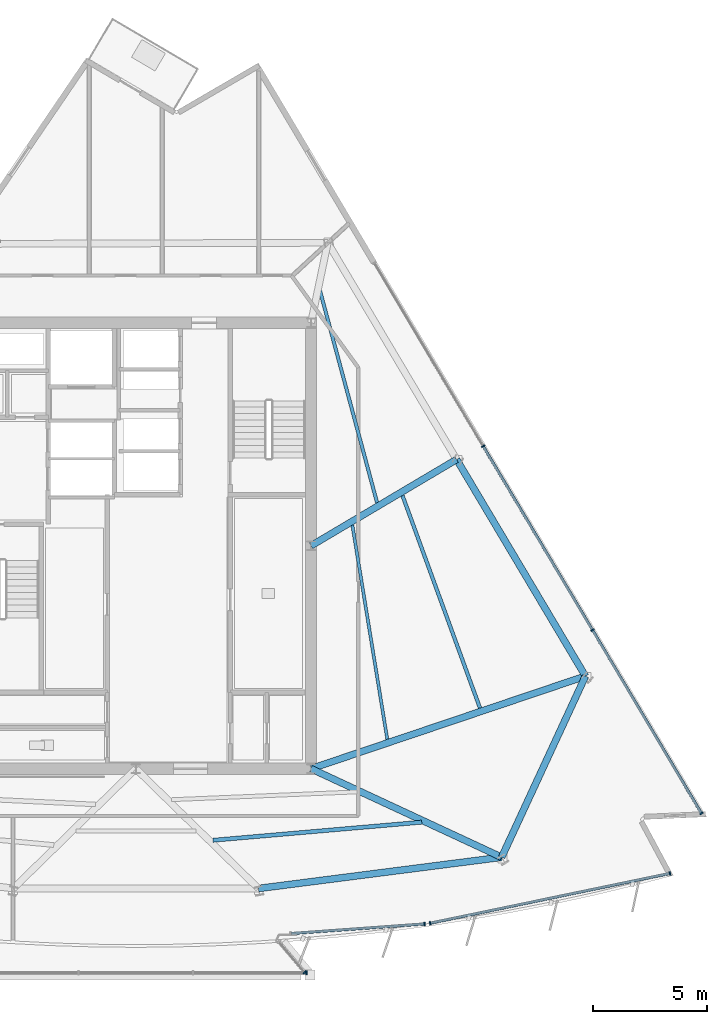
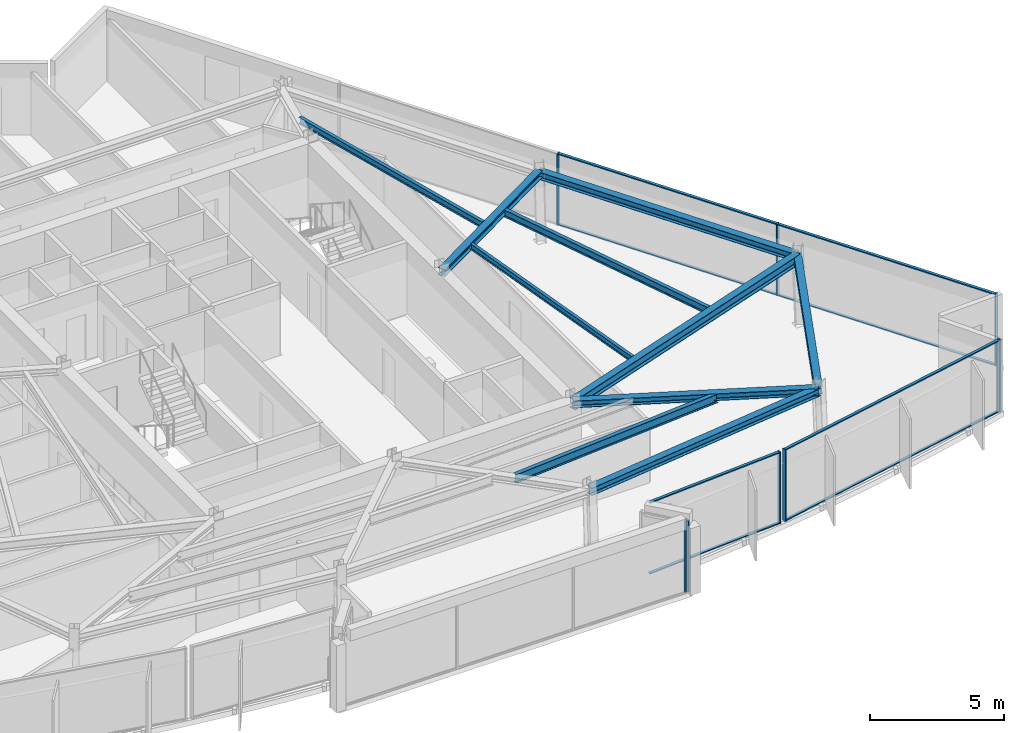
# One storey, part 5 of 14: 16 members, 10 beams, 5 elements without a shape of their own.
"""IFC4 building model written with IfcOpenShell, lengths in metres."""

from ifc_helpers import new_model, si_unit, direction, frame, origin, origin_2d, place, context, subcontext, project, spatial, rectangle, i_section, extrude, material, material_profile, profile_set, type_object, element, aggregate, save


model = new_model("IFC4")

# Units and contexts
model_context = context("Model", 3, precision=1e-05, world=origin(), true_north=direction((0.0, 1.0)))
body_context = subcontext(model_context, "Body", "Model", "MODEL_VIEW")
ifc_project = project(units=[si_unit("LENGTHUNIT", "METRE"), si_unit("AREAUNIT", "SQUARE_METRE"), si_unit("VOLUMEUNIT", "CUBIC_METRE"), si_unit("PLANEANGLEUNIT", "RADIAN"), si_unit("MASSUNIT", "GRAM", prefix="KILO")], contexts=[model_context])

# Site, building, storey
site_placement = place(None, origin())
site = spatial("IfcSite", under=ifc_project, at=site_placement, CompositionType="ELEMENT")
building_placement = place(site_placement, origin())
building = spatial("IfcBuilding", under=site, at=building_placement, Name="Savorim Split Tower", CompositionType="ELEMENT")
storey_placement = place(building_placement, frame((0.0, 0.0, 237.89990234375)))
storey = spatial("IfcBuildingStorey", under=building, at=storey_placement, Name="L63", CompositionType="ELEMENT", Elevation=237.89990234375)

# Beams
ifc_material_1 = material(Name="Steel S355", Category="steel")
ifc_material_profile_1 = material_profile(ifc_material_1, i_section(OverallWidth=0.135009765625, OverallDepth=0.27001953125, WebThickness=0.006591796875, FlangeThickness=0.01025390625, FilletRadius=0.014892578125, at=origin_2d()), Name="IPE 270")
ifc_profile_set_1 = profile_set([ifc_material_profile_1], Name="Steel S355")
beam_type_1 = type_object("IfcBeamType", Name="BM-JST-IPE270", PredefinedType="JOIST", material=ifc_profile_set_1)
beam_1_placement = place(storey_placement, frame((11.0517578125, -8.102783203125, 3.14501953125), z_axis=(-0.160958780678, 0.986961129388, 0.0), x_axis=(-0.986961129388, -0.160958780678, 0.0)))
element("IfcBeam", 1, at=beam_1_placement, inside=storey, type_object=beam_type_1, Name="L63 Secondary Floor Joist JS-08", PredefinedType="JOIST", context=body_context, shape_type="SweptSolid", body=[
    extrude(i_section(OverallWidth=0.135009765625, OverallDepth=0.27001953125, WebThickness=0.006591796875, FlangeThickness=0.01025390625, FilletRadius=0.014892578125, at=origin_2d()), origin(), (0.0, 0.0, 1.0), 9.531494140625),
])
ifc_material_profile_2 = material_profile(ifc_material_1, i_section(OverallWidth=0.14990234375, OverallDepth=0.300048828125, WebThickness=0.007080078125, FlangeThickness=0.0107421875, FilletRadius=0.014892578125, at=origin_2d()), Name="IPE 300")
ifc_profile_set_2 = profile_set([ifc_material_profile_2], Name="Steel S355")
beam_type_2 = type_object("IfcBeamType", Name="BM-JST-IPE300", PredefinedType="JOIST", material=ifc_profile_set_2)
beam_2_placement = place(storey_placement, frame((10.601806640625, 2.2998046875, 3.130126953125), z_axis=(-0.260070069924, 0.965589746595, 0.0), x_axis=(-0.965589746595, -0.260070069924, 0.0)))
element("IfcBeam", 2, at=beam_2_placement, inside=storey, type_object=beam_type_2, Name="L63 Secondary Floor Joist JS-07", PredefinedType="JOIST", context=body_context, shape_type="SweptSolid", body=[
    extrude(i_section(OverallWidth=0.14990234375, OverallDepth=0.300048828125, WebThickness=0.007080078125, FlangeThickness=0.0107421875, FilletRadius=0.014892578125, at=origin_2d()), origin(), (0.0, 0.0, 1.0), 9.6982421875),
])
ifc_material_profile_3 = material_profile(ifc_material_1, i_section(OverallWidth=0.159912109375, OverallDepth=0.330078125, WebThickness=0.007568359375, FlangeThickness=0.011474609375, FilletRadius=0.01806640625, at=origin_2d()), Name="IPE 330")
ifc_profile_set_3 = profile_set([ifc_material_profile_3], Name="Steel S355")
beam_type_3 = type_object("IfcBeamType", Name="BM-JST-IPE330", PredefinedType="JOIST", material=ifc_profile_set_3)
beam_3_placement = place(storey_placement, frame((15.1240234375, -6.726806640625, 3.114990234375), z_axis=(-0.34258388142, 0.939487245358, 0.0), x_axis=(-0.939487245358, -0.34258388142, 0.0)))
element("IfcBeam", 3, at=beam_3_placement, inside=storey, type_object=beam_type_3, Name="L63 Secondary Floor Joist JS-06", PredefinedType="JOIST", context=body_context, shape_type="SweptSolid", body=[
    extrude(i_section(OverallWidth=0.159912109375, OverallDepth=0.330078125, WebThickness=0.007568359375, FlangeThickness=0.011474609375, FilletRadius=0.01806640625, at=origin_2d()), origin(), (0.0, 0.0, 1.0), 9.929931640625),
])
ifc_material_profile_4 = material_profile(ifc_material_1, i_section(OverallWidth=0.179931640625, OverallDepth=0.39990234375, WebThickness=0.008544921875, FlangeThickness=0.013427734375, FilletRadius=0.02099609375, at=origin_2d()), Name="IPE 400")
ifc_profile_set_4 = profile_set([ifc_material_profile_4], Name="Steel S355")
beam_type_4 = type_object("IfcBeamType", Name="BM-JST-IPE400", PredefinedType="JOIST", material=ifc_profile_set_4)
beam_4_placement = place(storey_placement, frame((3.392578125, -12.54541015625, 3.080078125), z_axis=(0.996258472584, 0.086423699325, 0.0), x_axis=(-0.086423699325, 0.996258472584, 0.0)))
element("IfcBeam", 4, at=beam_4_placement, inside=storey, type_object=beam_type_4, Name="L63 Secondary Floor Joist JS-04", PredefinedType="JOIST", context=body_context, shape_type="SweptSolid", body=[
    extrude(i_section(OverallWidth=0.179931640625, OverallDepth=0.39990234375, WebThickness=0.008544921875, FlangeThickness=0.013427734375, FilletRadius=0.02099609375, at=origin_2d()), origin(), (0.0, 0.0, 1.0), 9.209228515625),
])
ifc_material_profile_5 = material_profile(ifc_material_1, i_section(OverallWidth=0.300048828125, OverallDepth=0.320068359375, WebThickness=0.011474609375, FlangeThickness=0.0205078125, FilletRadius=0.027099609375, at=origin_2d()), Name="HEB 320")
ifc_profile_set_5 = profile_set([ifc_material_profile_5], Name="Steel S355")
beam_type_5 = type_object("IfcBeamType", Name="BM-PRI-HEB320", PredefinedType="BEAM", material=ifc_profile_set_5)
beam_5_placement = place(storey_placement, frame((16.077880859375, -13.292724609375, 3.1201171875), z_axis=(-0.906882030767, 0.421384601369, 0.0), x_axis=(-0.421384601369, -0.906882030767, 0.0)))
element("IfcBeam", 5, at=beam_5_placement, inside=storey, type_object=beam_type_5, Name="L63 Primary Floor Girder RG-04", PredefinedType="BEAM", context=body_context, shape_type="SweptSolid", body=[
    extrude(i_section(OverallWidth=0.300048828125, OverallDepth=0.320068359375, WebThickness=0.011474609375, FlangeThickness=0.0205078125, FilletRadius=0.027099609375, at=origin_2d()), origin(), (0.0, 0.0, 1.0), 9.23828125),
])
beam_6_placement = place(storey_placement, frame((14.098876953125, 4.1943359375, 3.1201171875), z_axis=(-0.860145435672, -0.510048850104, 0.0), x_axis=(0.510048850104, -0.860145435672, 0.0)))
element("IfcBeam", 6, at=beam_6_placement, inside=storey, type_object=beam_type_5, Name="L63 Primary Floor Girder RG-06", PredefinedType="BEAM", context=body_context, shape_type="SweptSolid", body=[
    extrude(i_section(OverallWidth=0.300048828125, OverallDepth=0.320068359375, WebThickness=0.011474609375, FlangeThickness=0.0205078125, FilletRadius=0.027099609375, at=origin_2d()), origin(), (0.0, 0.0, 1.0), 7.439453125),
])
ifc_material_profile_6 = material_profile(ifc_material_1, i_section(OverallWidth=0.300048828125, OverallDepth=0.449951171875, WebThickness=0.013916015625, FlangeThickness=0.02587890625, FilletRadius=0.027099609375, at=origin_2d()), Name="HEB 450")
ifc_profile_set_6 = profile_set([ifc_material_profile_6], Name="Steel S355")
beam_type_6 = type_object("IfcBeamType", Name="BM-PRI-HEB450", PredefinedType="BEAM", material=ifc_profile_set_6)
beam_7_placement = place(storey_placement, frame((19.7626953125, -5.330810546875, 3.05517578125), z_axis=(-0.947541875184, -0.319631654834, 0.0), x_axis=(0.319631654834, -0.947541875184, 0.0)))
element("IfcBeam", 7, at=beam_7_placement, inside=storey, type_object=beam_type_6, Name="L63 Primary Floor Girder RG-05", PredefinedType="BEAM", context=body_context, shape_type="SweptSolid", body=[
    extrude(i_section(OverallWidth=0.300048828125, OverallDepth=0.449951171875, WebThickness=0.013916015625, FlangeThickness=0.02587890625, FilletRadius=0.027099609375, at=origin_2d()), origin(), (0.0, 0.0, 1.0), 12.73046875),
])
ifc_material_profile_7 = material_profile(ifc_material_1, i_section(OverallWidth=0.300048828125, OverallDepth=0.35009765625, WebThickness=0.010009765625, FlangeThickness=0.017578125, FilletRadius=0.027099609375, at=origin_2d()), Name="HEA 360")
ifc_profile_set_7 = profile_set([ifc_material_profile_7], Name="Steel S355")
beam_type_7 = type_object("IfcBeamType", Name="BM-SPN-HEA360", PredefinedType="SPANDREL", material=ifc_profile_set_7)
beam_8_placement = place(storey_placement, frame((5.388427734375, -14.665283203125, 3.10498046875), z_axis=(0.991856882449, 0.127357468325, 0.0), x_axis=(-0.127357468325, 0.991856882449, 0.0)))
element("IfcBeam", 8, at=beam_8_placement, inside=storey, type_object=beam_type_7, Name="L63 Perimeter Spandrel Beam 3", PredefinedType="SPANDREL", context=body_context, shape_type="SweptSolid", body=[
    extrude(i_section(OverallWidth=0.300048828125, OverallDepth=0.35009765625, WebThickness=0.010009765625, FlangeThickness=0.017578125, FilletRadius=0.027099609375, at=origin_2d()), origin(), (0.0, 0.0, 1.0), 10.777099609375),
])
beam_9_placement = place(storey_placement, frame((16.077880859375, -13.292724609375, 3.10498046875), z_axis=(0.420005588979, 0.907521517776, 0.0), x_axis=(-0.907521517776, 0.420005588979, 0.0)))
element("IfcBeam", 9, at=beam_9_placement, inside=storey, type_object=beam_type_7, Name="L63 Perimeter Spandrel Beam 4", PredefinedType="SPANDREL", context=body_context, shape_type="SweptSolid", body=[
    extrude(i_section(OverallWidth=0.300048828125, OverallDepth=0.35009765625, WebThickness=0.010009765625, FlangeThickness=0.017578125, FilletRadius=0.027099609375, at=origin_2d()), origin(), (0.0, 0.0, 1.0), 8.773193359375),
])
beam_10_placement = place(storey_placement, frame((19.7626953125, -5.330810546875, 3.10498046875), z_axis=(-0.511089909517, 0.859527256339, 0.0), x_axis=(-0.859527256339, -0.511089909517, 0.0)))
element("IfcBeam", 10, at=beam_10_placement, inside=storey, type_object=beam_type_7, Name="L63 Perimeter Spandrel Beam 5", PredefinedType="SPANDREL", context=body_context, shape_type="SweptSolid", body=[
    extrude(i_section(OverallWidth=0.300048828125, OverallDepth=0.35009765625, WebThickness=0.010009765625, FlangeThickness=0.017578125, FilletRadius=0.027099609375, at=origin_2d()), origin(), (0.0, 0.0, 1.0), 11.081787109375),
])

# Curtain wall, member
ifc_material_2 = material(Name="Dark Ceramic-Fritted Insulated Glass", Category="glass")
curtain_wall_type_1 = type_object("IfcCurtainWallType", Name="CW-TWR-FRIT-B", PredefinedType="NOTDEFINED", material=ifc_material_2)
curtain_wall_1_placement = place(storey_placement, origin())
curtain_wall_1 = element("IfcCurtainWall", 11, at=curtain_wall_1_placement, inside=storey, type_object=curtain_wall_type_1, Name="L63 Curtain Wall CW-L63-SF3A", PredefinedType="NOTDEFINED")
ifc_material_3 = material(Name="Charcoal Anodised Aluminium", Category="aluminium")
ifc_material_profile_8 = material_profile(ifc_material_3, rectangle(XDim=0.159912109375, YDim=0.06005859375, at=origin_2d()), Name="ALU-M 160x60")
ifc_profile_set_8 = profile_set([ifc_material_profile_8], Name="Charcoal Anodised Aluminium")
member_type_1 = type_object("IfcMemberType", Name="CWM-160x60", PredefinedType="MULLION", material=ifc_profile_set_8)
member_1_placement = place(storey_placement, frame((12.6923828125, -16.221923828125, 0.0), z_axis=(0.0, 0.0, 1.0), x_axis=(-0.071557956097, 0.997436443549, 0.0)))
member_1 = element("IfcMember", 12, at=member_1_placement, type_object=member_type_1, Name="CW-03 mullion 2", PredefinedType="MULLION", context=body_context, shape_type="SweptSolid", body=[
    extrude(rectangle(XDim=0.159912109375, YDim=0.06005859375, at=origin_2d()), origin(), (0.0, 0.0, 1.0), 3.280029296875),
])

# Curtain wall, members
curtain_wall_2_placement = place(storey_placement, origin())
curtain_wall_2 = element("IfcCurtainWall", 13, at=curtain_wall_2_placement, inside=storey, type_object=curtain_wall_type_1, Name="L63 Curtain Wall CW-L63-SF4A", PredefinedType="NOTDEFINED")
member_2_placement = place(storey_placement, frame((12.933349609375, -16.1884765625, 0.0), z_axis=(0.0, 0.0, 1.0), x_axis=(-0.203214786352, 0.979134184169, 0.0)))
member_2 = element("IfcMember", 14, at=member_2_placement, type_object=member_type_1, Name="CW-03 mullion 1", PredefinedType="MULLION", context=body_context, shape_type="SweptSolid", body=[
    extrude(rectangle(XDim=0.159912109375, YDim=0.06005859375, at=origin_2d()), origin(), (0.0, 0.0, 1.0), 3.280029296875),
])
member_3_placement = place(storey_placement, frame((23.47705078125, -14.0, 0.0), z_axis=(0.0, 0.0, 1.0), x_axis=(-0.203214786352, 0.979134184169, 0.0)))
member_3 = element("IfcMember", 15, at=member_3_placement, type_object=member_type_1, Name="CW-03 mullion 2", PredefinedType="MULLION", context=body_context, shape_type="SweptSolid", body=[
    extrude(rectangle(XDim=0.159912109375, YDim=0.06005859375, at=origin_2d()), origin(), (0.0, 0.0, 1.0), 3.280029296875),
])

curtain_wall_3_placement = place(storey_placement, origin())
curtain_wall_3 = element("IfcCurtainWall", 16, at=curtain_wall_3_placement, inside=storey, type_object=curtain_wall_type_1, Name="L63 Curtain Wall CW-L63-EAST", PredefinedType="NOTDEFINED")
member_4_placement = place(storey_placement, frame((24.8623046875, -11.363037109375, 0.0), z_axis=(0.0, 0.0, 1.0), x_axis=(-0.859523513249, -0.51109620442, 0.0)))
member_4 = element("IfcMember", 17, at=member_4_placement, type_object=member_type_1, Name="CW-03 mullion 1", PredefinedType="MULLION", context=body_context, shape_type="SweptSolid", body=[
    extrude(rectangle(XDim=0.159912109375, YDim=0.06005859375, at=origin_2d()), origin(), (0.0, 0.0, 1.0), 3.280029296875),
])
member_5_placement = place(storey_placement, frame((20.072021484375, -3.30712890625, 0.0), z_axis=(0.0, 0.0, 1.0), x_axis=(-0.859523513249, -0.51109620442, 0.0)))
member_5 = element("IfcMember", 18, at=member_5_placement, type_object=member_type_1, Name="CW-03 mullion 2", PredefinedType="MULLION", context=body_context, shape_type="SweptSolid", body=[
    extrude(rectangle(XDim=0.159912109375, YDim=0.06005859375, at=origin_2d()), origin(), (0.0, 0.0, 1.0), 3.280029296875),
])
member_6_placement = place(storey_placement, frame((15.266357421875, 4.7744140625, 0.0), z_axis=(0.0, 0.0, 1.0), x_axis=(-0.859523513249, -0.51109620442, 0.0)))
member_6 = element("IfcMember", 19, at=member_6_placement, type_object=member_type_1, Name="CW-03 mullion 3", PredefinedType="MULLION", context=body_context, shape_type="SweptSolid", body=[
    extrude(rectangle(XDim=0.159912109375, YDim=0.06005859375, at=origin_2d()), origin(), (0.0, 0.0, 1.0), 3.280029296875),
])

# Curtain wall, member
curtain_wall_type_2 = type_object("IfcCurtainWallType", Name="CW-BAY-LOUNGE", PredefinedType="NOTDEFINED", material=ifc_material_2)
curtain_wall_4_placement = place(storey_placement, origin())
curtain_wall_4 = element("IfcCurtainWall", 20, at=curtain_wall_4_placement, inside=storey, type_object=curtain_wall_type_2, Name="L63 Curtain Wall CW-L63-BAYF", PredefinedType="NOTDEFINED")
ifc_material_profile_9 = material_profile(ifc_material_3, rectangle(XDim=0.179931640625, YDim=0.06494140625, at=origin_2d()), Name="ALU-M 180x65")
ifc_profile_set_9 = profile_set([ifc_material_profile_9], Name="Charcoal Anodised Aluminium")
member_type_2 = type_object("IfcMemberType", Name="CWM-180x65", PredefinedType="MULLION", material=ifc_profile_set_9)
member_7_placement = place(storey_placement, frame((7.501708984375, -18.36767578125, 0.0), z_axis=(0.0, 0.0, 1.0), x_axis=(0.0, 1.0, 0.0)))
member_7 = element("IfcMember", 21, at=member_7_placement, type_object=member_type_2, Name="CW-04 mullion 4", PredefinedType="MULLION", context=body_context, shape_type="SweptSolid", body=[
    extrude(rectangle(XDim=0.179931640625, YDim=0.06494140625, at=origin_2d()), origin(), (0.0, 0.0, 1.0), 3.280029296875),
])
aggregate(curtain_wall_4, [member_7])

curtain_wall_5_placement = place(storey_placement, origin())
curtain_wall_5 = element("IfcCurtainWall", 22, at=curtain_wall_5_placement, inside=storey, type_object=curtain_wall_type_2, Name="L63 Curtain Wall CW-L63-BAYE", PredefinedType="NOTDEFINED")
member_8_placement = place(storey_placement, frame((7.424560546875, -18.3505859375, 0.0), z_axis=(0.0, 0.0, 1.0), x_axis=(-0.764177330189, -0.645006207741, 0.0)))
member_8 = element("IfcMember", 23, at=member_8_placement, type_object=member_type_2, Name="CW-04 mullion 1", PredefinedType="MULLION", context=body_context, shape_type="SweptSolid", body=[
    extrude(rectangle(XDim=0.179931640625, YDim=0.06494140625, at=origin_2d()), origin(), (0.0, 0.0, 1.0), 3.280029296875),
])
aggregate(curtain_wall_5, [member_8])

# Member
ifc_material_profile_10 = material_profile(ifc_material_3, rectangle(XDim=0.1201171875, YDim=0.050048828125, at=origin_2d()), Name="ALU-T 120x50")
ifc_profile_set_10 = profile_set([ifc_material_profile_10], Name="Charcoal Anodised Aluminium")
member_type_3 = type_object("IfcMemberType", Name="CWT-120x50", PredefinedType="USERDEFINED", material=ifc_profile_set_10)
member_9_placement = place(storey_placement, frame((6.83154296875, -16.642333984375, 0.025146484375), z_axis=(0.997437668804, 0.071540875378, 0.0), x_axis=(-0.071540875378, 0.997437668804, 0.0)))
member_9 = element("IfcMember", 24, at=member_9_placement, type_object=member_type_3, Name="CW-03 transom 1.1", ObjectType="TRANSOM", PredefinedType="USERDEFINED", context=body_context, shape_type="SweptSolid", body=[
    extrude(rectangle(XDim=0.1201171875, YDim=0.050048828125, at=origin_2d()), origin(), (0.0, 0.0, 1.0), 5.845703125),
])

member_10_placement = place(storey_placement, frame((6.83154296875, -16.642333984375, 3.255126953125), z_axis=(0.997437668804, 0.071540875378, 0.0), x_axis=(-0.071540875378, 0.997437668804, 0.0)))
member_10 = element("IfcMember", 25, at=member_10_placement, type_object=member_type_3, Name="CW-03 transom 1.2", ObjectType="TRANSOM", PredefinedType="USERDEFINED", context=body_context, shape_type="SweptSolid", body=[
    extrude(rectangle(XDim=0.1201171875, YDim=0.050048828125, at=origin_2d()), origin(), (0.0, 0.0, 1.0), 5.845703125),
])

aggregate(curtain_wall_1, [member_1, member_9, member_10])

member_11_placement = place(storey_placement, frame((12.962646484375, -16.182373046875, 0.025146484375), z_axis=(0.979131697612, 0.203226766771, 0.0), x_axis=(-0.203226766771, 0.979131697612, 0.0)))
member_11 = element("IfcMember", 26, at=member_11_placement, type_object=member_type_3, Name="CW-03 transom 1.1", ObjectType="TRANSOM", PredefinedType="USERDEFINED", context=body_context, shape_type="SweptSolid", body=[
    extrude(rectangle(XDim=0.1201171875, YDim=0.050048828125, at=origin_2d()), origin(), (0.0, 0.0, 1.0), 10.70849609375),
])

member_12_placement = place(storey_placement, frame((12.962646484375, -16.182373046875, 3.255126953125), z_axis=(0.979131697612, 0.203226766771, 0.0), x_axis=(-0.203226766771, 0.979131697612, 0.0)))
member_12 = element("IfcMember", 27, at=member_12_placement, type_object=member_type_3, Name="CW-03 transom 1.2", ObjectType="TRANSOM", PredefinedType="USERDEFINED", context=body_context, shape_type="SweptSolid", body=[
    extrude(rectangle(XDim=0.1201171875, YDim=0.050048828125, at=origin_2d()), origin(), (0.0, 0.0, 1.0), 10.70849609375),
])

aggregate(curtain_wall_2, [member_2, member_3, member_11, member_12])

member_13_placement = place(storey_placement, frame((24.846923828125, -11.33740234375, 0.025146484375), z_axis=(-0.511087432816, 0.859528729024, 0.0), x_axis=(-0.859528729024, -0.511087432816, 0.0)))
member_13 = element("IfcMember", 28, at=member_13_placement, type_object=member_type_3, Name="CW-03 transom 1.1", ObjectType="TRANSOM", PredefinedType="USERDEFINED", context=body_context, shape_type="SweptSolid", body=[
    extrude(rectangle(XDim=0.1201171875, YDim=0.050048828125, at=origin_2d()), origin(), (0.0, 0.0, 1.0), 9.3125),
])

member_14_placement = place(storey_placement, frame((24.846923828125, -11.33740234375, 3.255126953125), z_axis=(-0.511087432816, 0.859528729024, 0.0), x_axis=(-0.859528729024, -0.511087432816, 0.0)))
member_14 = element("IfcMember", 29, at=member_14_placement, type_object=member_type_3, Name="CW-03 transom 1.2", ObjectType="TRANSOM", PredefinedType="USERDEFINED", context=body_context, shape_type="SweptSolid", body=[
    extrude(rectangle(XDim=0.1201171875, YDim=0.050048828125, at=origin_2d()), origin(), (0.0, 0.0, 1.0), 9.3125),
])

member_15_placement = place(storey_placement, frame((20.056640625, -3.281494140625, 0.025146484375), z_axis=(-0.511086872234, 0.859529062354, 0.0), x_axis=(-0.859529062354, -0.511086872234, 0.0)))
member_15 = element("IfcMember", 30, at=member_15_placement, type_object=member_type_3, Name="CW-03 transom 2.1", ObjectType="TRANSOM", PredefinedType="USERDEFINED", context=body_context, shape_type="SweptSolid", body=[
    extrude(rectangle(XDim=0.1201171875, YDim=0.050048828125, at=origin_2d()), origin(), (0.0, 0.0, 1.0), 9.342529296875),
])

member_16_placement = place(storey_placement, frame((20.056640625, -3.281494140625, 3.255126953125), z_axis=(-0.511086872234, 0.859529062354, 0.0), x_axis=(-0.859529062354, -0.511086872234, 0.0)))
member_16 = element("IfcMember", 31, at=member_16_placement, type_object=member_type_3, Name="CW-03 transom 2.2", ObjectType="TRANSOM", PredefinedType="USERDEFINED", context=body_context, shape_type="SweptSolid", body=[
    extrude(rectangle(XDim=0.1201171875, YDim=0.050048828125, at=origin_2d()), origin(), (0.0, 0.0, 1.0), 9.342529296875),
])

aggregate(curtain_wall_3, [member_4, member_5, member_6, member_13, member_14, member_15, member_16])

save(model, "model.ifc")
